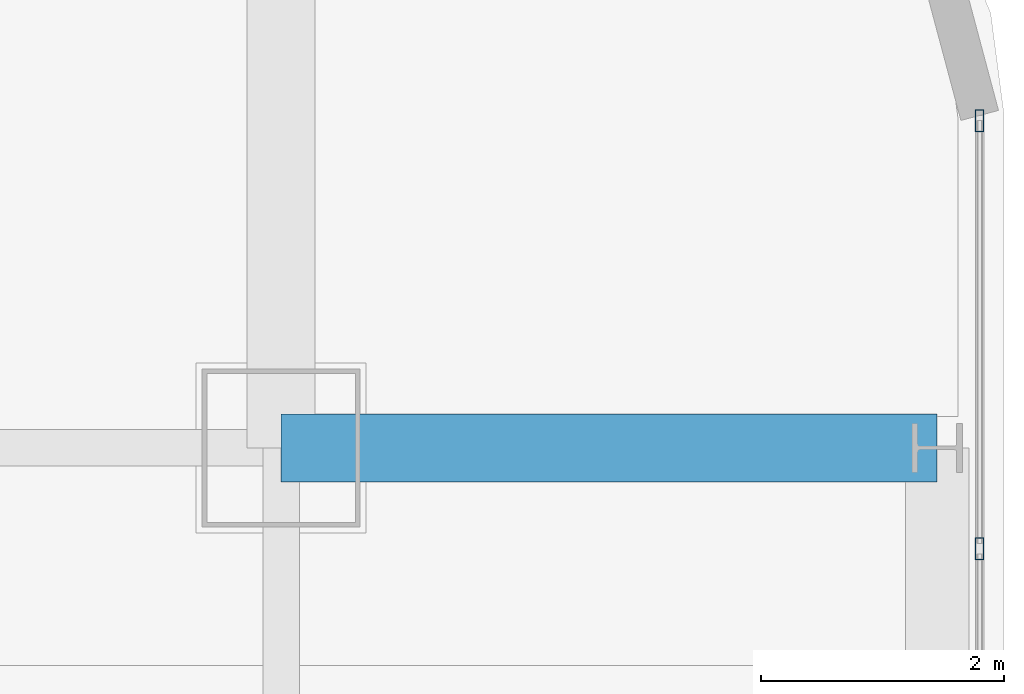
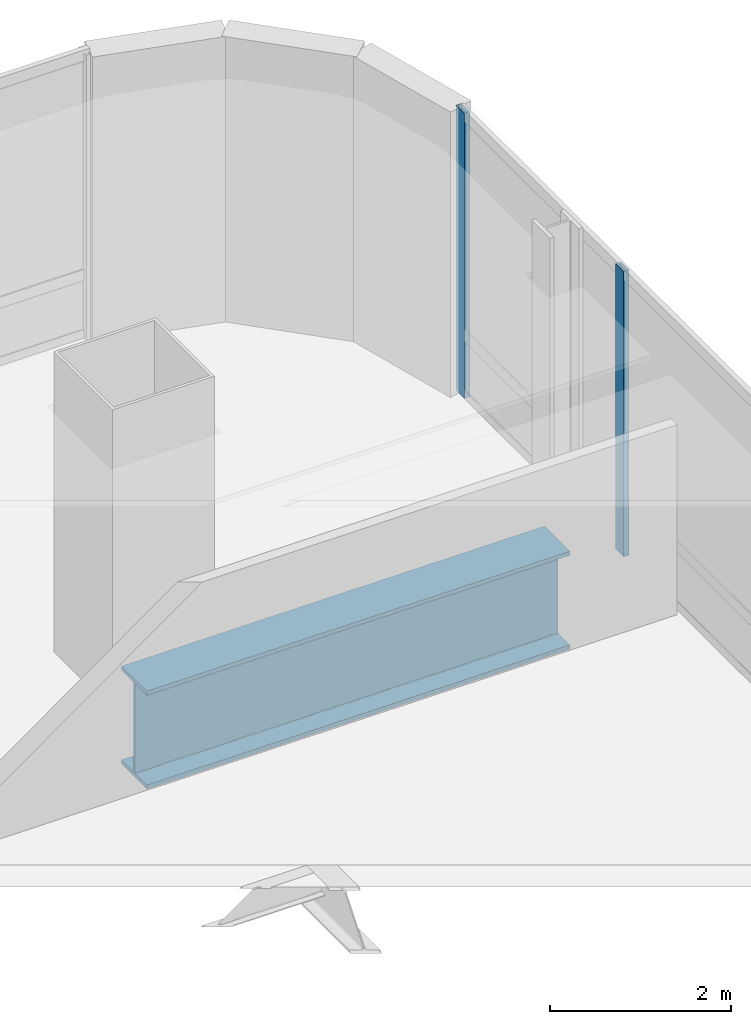
# One storey, part 26 of 44: 2 members, 1 beam, 1 element without a shape of its own.
"""IFC4 building model written with IfcOpenShell, lengths in metres."""

from ifc_helpers import new_model, si_unit, direction, frame, origin, origin_2d, place, context, subcontext, project, spatial, hollow_rectangle, i_section, extrude, material, material_profile, profile_set, type_object, element, aggregate, save


model = new_model("IFC4")

# Units and contexts
model_context = context("Model", 3, precision=1e-05, world=origin(), true_north=direction((0.0, 1.0)))
body_context = subcontext(model_context, "Body", "Model", "MODEL_VIEW")
ifc_project = project(units=[si_unit("LENGTHUNIT", "METRE"), si_unit("AREAUNIT", "SQUARE_METRE"), si_unit("VOLUMEUNIT", "CUBIC_METRE"), si_unit("PLANEANGLEUNIT", "RADIAN"), si_unit("MASSUNIT", "GRAM", prefix="KILO")], contexts=[model_context])

# Site, building, storey
site_placement = place(None, origin())
site = spatial("IfcSite", under=ifc_project, at=site_placement, CompositionType="ELEMENT")
building_placement = place(site_placement, origin())
building = spatial("IfcBuilding", under=site, at=building_placement, Name="Punatoya Terracotta Tower", CompositionType="ELEMENT")
storey_placement = place(building_placement, frame((0.0, 0.0, 267.60009765625)))
storey = spatial("IfcBuildingStorey", under=building, at=storey_placement, Name="L63", CompositionType="ELEMENT", Elevation=267.60009765625)

# Beam
ifc_material_1 = material(Name="Steel S460", Category="steel")
ifc_material_profile_1 = material_profile(ifc_material_1, i_section(OverallWidth=0.56005859375, OverallDepth=1.320068359375, WebThickness=0.035888671875, FlangeThickness=0.054931640625, FilletRadius=0.01806640625, at=origin_2d()))
ifc_profile_set_1 = profile_set([ifc_material_profile_1], Name="Steel S460")
beam_type = type_object("IfcBeamType", Name="BM-TG-BLK", PredefinedType="BEAM", material=ifc_profile_set_1)
beam_placement = place(storey_placement, frame((19.10009765625, 17.5, -0.860107421875), z_axis=(1.0, 0.0, 0.0), x_axis=(0.0, 1.0, 0.0)))
element("IfcBeam", 1, at=beam_placement, inside=storey, type_object=beam_type, Name="BM-L63-CANT-E4", PredefinedType="BEAM", context=body_context, shape_type="SweptSolid", body=[
    extrude(i_section(OverallWidth=0.56005859375, OverallDepth=1.320068359375, WebThickness=0.035888671875, FlangeThickness=0.054931640625, FilletRadius=0.01806640625, at=origin_2d()), origin(), (0.0, 0.0, 1.0), 5.39990234375),
])

# Curtain wall, members
ifc_material_2 = material(Name="Aluminium 6063-T6 + Double Low-E Glass", Category="aluminium")
curtain_wall_type = type_object("IfcCurtainWallType", Name="CW-M3", PredefinedType="NOTDEFINED", material=ifc_material_2)
curtain_wall_placement = place(storey_placement, origin())
curtain_wall = element("IfcCurtainWall", 2, at=curtain_wall_placement, inside=storey, type_object=curtain_wall_type, Name="L63 Curtain Wall CW-L63-E05-1", PredefinedType="NOTDEFINED")
ifc_material_3 = material(Name="Aluminium 6063-T6", Category="aluminium")
ifc_material_profile_2 = material_profile(ifc_material_3, hollow_rectangle(XDim=0.070068359375, YDim=0.179931640625, WallThickness=0.00390625, at=origin_2d()))
ifc_profile_set_2 = profile_set([ifc_material_profile_2], Name="Aluminium 6063-T6")
member_type = type_object("IfcMemberType", Name="CW-MUL-M3", PredefinedType="MULLION", material=ifc_profile_set_2)
member_1_placement = place(storey_placement, frame((24.85009765625, 16.66943359375, 0.0), z_axis=(0.0, 0.0, 1.0), x_axis=(1.0, 0.0, 0.0)))
member_1 = element("IfcMember", 3, at=member_1_placement, type_object=member_type, Name="CW-L63-E05-1 Mullion 09", PredefinedType="MULLION", context=body_context, shape_type="SweptSolid", body=[
    extrude(hollow_rectangle(XDim=0.070068359375, YDim=0.179931640625, WallThickness=0.00390625, at=origin_2d()), origin(), (0.0, 0.0, 1.0), 3.849853515625),
])
member_2_placement = place(storey_placement, frame((24.85009765625, 20.19189453125, 0.0), z_axis=(0.0, 0.0, 1.0), x_axis=(1.0, 0.0, 0.0)))
member_2 = element("IfcMember", 4, at=member_2_placement, type_object=member_type, Name="CW-L63-E05-1 Mullion 10", PredefinedType="MULLION", context=body_context, shape_type="SweptSolid", body=[
    extrude(hollow_rectangle(XDim=0.070068359375, YDim=0.179931640625, WallThickness=0.00390625, at=origin_2d()), origin(), (0.0, 0.0, 1.0), 3.849853515625),
])
aggregate(curtain_wall, [member_1, member_2])

save(model, "model.ifc")
